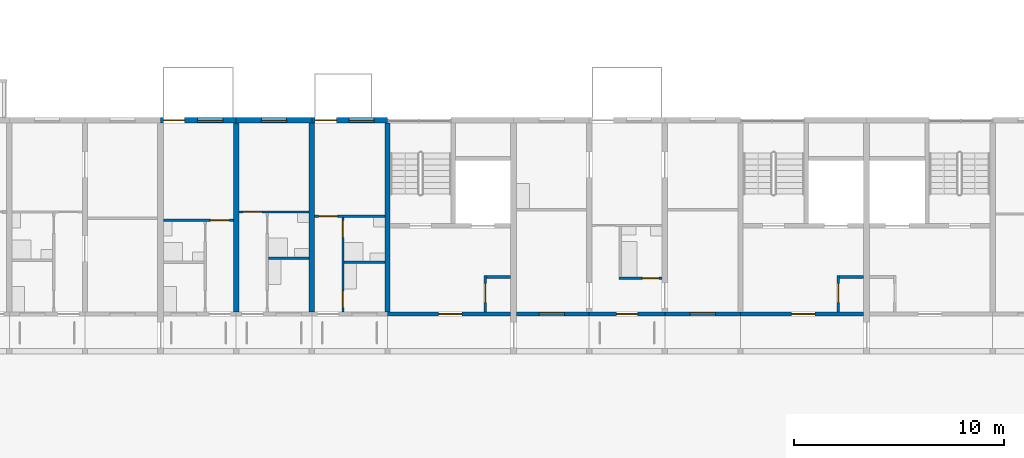
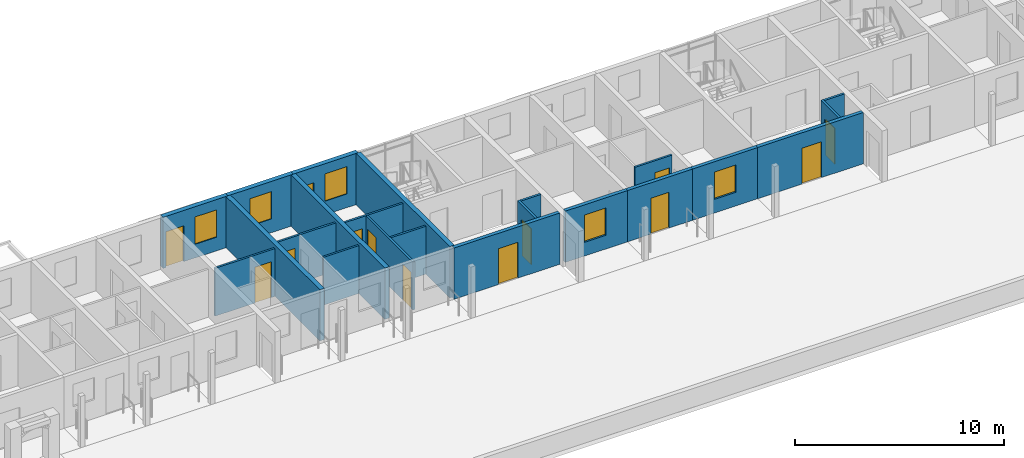
# One storey, part 44 of 115: 22 walls, 13 doors, 5 windows, 18 openings.
"""IFC4 building model written with IfcOpenShell, lengths in metres."""

from ifc_helpers import new_model, si_unit, direction, frame, frame_2d, origin, place, context, subcontext, project, spatial, rectangle, extrude, material, layer, layer_set, type_object, element, fill, save


model = new_model("IFC4")

# Units and contexts
model_context = context("Model", 3, precision=1e-05, world=origin(), true_north=direction((0.0, 1.0)))
body_context = subcontext(model_context, "Body", "Model", "MODEL_VIEW")
ifc_project = project(units=[si_unit("LENGTHUNIT", "METRE"), si_unit("AREAUNIT", "SQUARE_METRE"), si_unit("VOLUMEUNIT", "CUBIC_METRE"), si_unit("PLANEANGLEUNIT", "RADIAN"), si_unit("MASSUNIT", "GRAM", prefix="KILO")], contexts=[model_context])

# Site, building, storey
site_placement = place(None, origin())
site = spatial("IfcSite", under=ifc_project, at=site_placement, CompositionType="ELEMENT")
building_placement = place(site_placement, origin())
building = spatial("IfcBuilding", under=site, at=building_placement, Name="Ridgestep Commons", CompositionType="ELEMENT")
storey_placement = place(building_placement, frame((0.0, 0.0, 6.0)))
storey = spatial("IfcBuildingStorey", under=building, at=storey_placement, Name="L02", CompositionType="ELEMENT", Elevation=6.0)

# Wall
ifc_material_1 = material(Name="Concrete C30/37", Category="concrete")
ifc_layer_1 = layer(ifc_material_1, 0.25)
ifc_layer_set_1 = layer_set([ifc_layer_1], Name="Core cross wall 250")
wall_type_1 = type_object("IfcWallType", Name="Core cross wall 250", PredefinedType="SHEAR", material=ifc_layer_set_1)
wall_1_placement = place(storey_placement, frame((73.199951171875, 13.75, 0.0), z_axis=(0.0, 0.0, 1.0), x_axis=(0.0, 1.0, 0.0)))
element("IfcWall", 1, at=wall_1_placement, inside=storey, type_object=wall_type_1, Name="Cross wall A-02-0732", PredefinedType="SHEAR", context=body_context, shape_type="SweptSolid", body=[
    extrude(rectangle(XDim=9.0, YDim=0.25, at=frame_2d((4.5, 0.0))), origin(), (0.0, 0.0, 1.0), 3.0),
])

# Wall, opening, door
ifc_material_2 = material(Name="Concrete C30/37", Category="concrete")
ifc_layer_2 = layer(ifc_material_2, 0.199951171875)
ifc_layer_set_2 = layer_set([ifc_layer_2], Name="Core south wall 200")
wall_type_2 = type_object("IfcWallType", Name="Core south wall 200", PredefinedType="SHEAR", material=ifc_layer_set_2)
wall_2_placement = place(storey_placement, frame((73.199951171875, 13.64990234375, 0.0), z_axis=(0.0, 0.0, 1.0), x_axis=(1.0, 0.0, 0.0)))
wall_2 = element("IfcWall", 2, at=wall_2_placement, inside=storey, type_object=wall_type_2, Name="Core south wall A4C L02", PredefinedType="SHEAR", context=body_context, shape_type="SweptSolid", body=[
    extrude(rectangle(XDim=5.85009765625, YDim=0.199951171875, at=frame_2d((2.925048828125, 0.0))), origin(), (0.0, 0.0, 1.0), 3.0),
])
opening_1_placement = place(wall_2_placement, frame((2.4375, 0.0, 0.0)))
opening_1 = element("IfcOpeningElement", 3, at=opening_1_placement, cuts=wall_2, Name="Opening A4C/02/1", PredefinedType="OPENING", context=body_context, shape_type="SweptSolid", body=[
    extrude(rectangle(XDim=1.10009765625, YDim=2.10009765625, at=frame_2d((0.550048828125, 1.050048828125))), frame((0.0, 0.10986328125, 0.0), z_axis=(0.0, -1.0, 0.0), x_axis=(1.0, 0.0, 0.0)), (0.0, 0.0, 1.0), 0.219970703125),
])
ifc_material_3 = material(Name="Steel fire door", Category="steel")
door_type_1 = type_object("IfcDoorType", Name="Lobby door 1100 x 2100 FD60", OperationType="NOTDEFINED", PredefinedType="DOOR", material=ifc_material_3)
door_1_placement = place(opening_1_placement, origin())
door_1 = element("IfcDoor", 4, at=door_1_placement, inside=storey, type_object=door_type_1, Name="Lobby door A4C/02/1", OperationType="SINGLE_SWING_LEFT", OverallHeight=2.10009765625, OverallWidth=1.10009765625, PredefinedType="DOOR", context=body_context, shape_type="SweptSolid", body=[
    extrude(rectangle(XDim=1.10009765625, YDim=2.10009765625, at=frame_2d((0.550048828125, 1.050048828125))), frame((0.0, 0.02490234375, 0.0), z_axis=(0.0, -1.0, 0.0), x_axis=(1.0, 0.0, 0.0)), (0.0, 0.0, 1.0), 0.050048828125),
])
fill(opening_1, door_1)

wall_3_placement = place(storey_placement, frame((90.0, 13.64990234375, 0.0), z_axis=(0.0, 0.0, 1.0), x_axis=(1.0, 0.0, 0.0)))
wall_3 = element("IfcWall", 5, at=wall_3_placement, inside=storey, type_object=wall_type_2, Name="Core south wall A5C L02", PredefinedType="SHEAR", context=body_context, shape_type="SweptSolid", body=[
    extrude(rectangle(XDim=5.85009765625, YDim=0.199951171875, at=frame_2d((2.925048828125, 0.0))), origin(), (0.0, 0.0, 1.0), 3.0),
])
opening_2_placement = place(wall_3_placement, frame((2.4375, 0.0, 0.0)))
opening_2 = element("IfcOpeningElement", 6, at=opening_2_placement, cuts=wall_3, Name="Opening A5C/02/1", PredefinedType="OPENING", context=body_context, shape_type="SweptSolid", body=[
    extrude(rectangle(XDim=1.10009765625, YDim=2.10009765625, at=frame_2d((0.550048828125, 1.050048828125))), frame((0.0, 0.10986328125, 0.0), z_axis=(0.0, -1.0, 0.0), x_axis=(1.0, 0.0, 0.0)), (0.0, 0.0, 1.0), 0.219970703125),
])
door_2_placement = place(opening_2_placement, origin())
door_2 = element("IfcDoor", 7, at=door_2_placement, inside=storey, type_object=door_type_1, Name="Lobby door A5C/02/1", OperationType="SINGLE_SWING_LEFT", OverallHeight=2.10009765625, OverallWidth=1.10009765625, PredefinedType="DOOR", context=body_context, shape_type="SweptSolid", body=[
    extrude(rectangle(XDim=1.10009765625, YDim=2.10009765625, at=frame_2d((0.550048828125, 1.050048828125))), frame((0.0, 0.02490234375, 0.0), z_axis=(0.0, -1.0, 0.0), x_axis=(1.0, 0.0, 0.0)), (0.0, 0.0, 1.0), 0.050048828125),
])
fill(opening_2, door_2)

ifc_material_4 = material(Name="Concrete C30/37", Category="concrete")
ifc_layer_3 = layer(ifc_material_4, 0.1201171875)
ifc_layer_set_3 = layer_set([ifc_layer_3], Name="Core wall 120")
wall_type_3 = type_object("IfcWallType", Name="Core wall 120", PredefinedType="SHEAR", material=ifc_layer_set_3)
wall_4_placement = place(storey_placement, frame((77.860107421875, 13.75, 0.0), z_axis=(0.0, 0.0, 1.0), x_axis=(0.0, 1.0, 0.0)))
wall_4 = element("IfcWall", 8, at=wall_4_placement, inside=storey, type_object=wall_type_3, Name="Core riser w wall A4C L02", PredefinedType="SHEAR", context=body_context, shape_type="SweptSolid", body=[
    extrude(rectangle(XDim=1.719970703125, YDim=0.1201171875, at=frame_2d((0.85986328125, 0.0))), origin(), (0.0, 0.0, 1.0), 3.0),
])
opening_3_placement = place(wall_4_placement, frame((0.449951171875, 0.0, 0.0)))
opening_3 = element("IfcOpeningElement", 9, at=opening_3_placement, cuts=wall_4, Name="Opening A4C/02/4", PredefinedType="OPENING", context=body_context, shape_type="SweptSolid", body=[
    extrude(rectangle(XDim=0.89990234375, YDim=2.10009765625, at=frame_2d((0.449951171875, 1.050048828125))), frame((0.0, 0.070068359375, 0.0), z_axis=(0.0, -1.0, 0.0), x_axis=(1.0, 0.0, 0.0)), (0.0, 0.0, 1.0), 0.14013671875),
])
ifc_material_5 = material(Name="Steel fire door", Category="steel")
door_type_2 = type_object("IfcDoorType", Name="Riser door 900 x 2100 FD60", OperationType="NOTDEFINED", PredefinedType="DOOR", material=ifc_material_5)
door_3_placement = place(opening_3_placement, origin())
door_3 = element("IfcDoor", 10, at=door_3_placement, inside=storey, type_object=door_type_2, Name="Riser door A4C/02/4", OperationType="SINGLE_SWING_LEFT", OverallHeight=2.10009765625, OverallWidth=0.89990234375, PredefinedType="DOOR", context=body_context, shape_type="SweptSolid", body=[
    extrude(rectangle(XDim=0.89990234375, YDim=2.10009765625, at=frame_2d((0.449951171875, 1.050048828125))), frame((0.0, 0.02490234375, 0.0), z_axis=(0.0, -1.0, 0.0), x_axis=(1.0, 0.0, 0.0)), (0.0, 0.0, 1.0), 0.050048828125),
])
fill(opening_3, door_3)

# Wall
wall_5_placement = place(storey_placement, frame((77.919921875, 15.409912109375, 0.0), z_axis=(0.0, 0.0, 1.0), x_axis=(1.0, 0.0, 0.0)))
element("IfcWall", 11, at=wall_5_placement, inside=storey, type_object=wall_type_3, Name="Core riser n wall A4C L02", PredefinedType="SHEAR", context=body_context, shape_type="SweptSolid", body=[
    extrude(rectangle(XDim=1.130126953125, YDim=0.1201171875, at=frame_2d((0.56494140625, 0.0))), origin(), (0.0, 0.0, 1.0), 3.0),
])

# Wall, opening, door
wall_6_placement = place(storey_placement, frame((94.659912109375, 13.75, 0.0), z_axis=(0.0, 0.0, 1.0), x_axis=(0.0, 1.0, 0.0)))
wall_6 = element("IfcWall", 12, at=wall_6_placement, inside=storey, type_object=wall_type_3, Name="Core riser w wall A5C L02", PredefinedType="SHEAR", context=body_context, shape_type="SweptSolid", body=[
    extrude(rectangle(XDim=1.719970703125, YDim=0.1201171875, at=frame_2d((0.85986328125, 0.0))), origin(), (0.0, 0.0, 1.0), 3.0),
])
opening_4_placement = place(wall_6_placement, frame((0.449951171875, 0.0, 0.0)))
opening_4 = element("IfcOpeningElement", 13, at=opening_4_placement, cuts=wall_6, Name="Opening A5C/02/4", PredefinedType="OPENING", context=body_context, shape_type="SweptSolid", body=[
    extrude(rectangle(XDim=0.89990234375, YDim=2.10009765625, at=frame_2d((0.449951171875, 1.050048828125))), frame((0.0, 0.070068359375, 0.0), z_axis=(0.0, -1.0, 0.0), x_axis=(1.0, 0.0, 0.0)), (0.0, 0.0, 1.0), 0.14013671875),
])
door_4_placement = place(opening_4_placement, origin())
door_4 = element("IfcDoor", 14, at=door_4_placement, inside=storey, type_object=door_type_2, Name="Riser door A5C/02/4", OperationType="SINGLE_SWING_LEFT", OverallHeight=2.10009765625, OverallWidth=0.89990234375, PredefinedType="DOOR", context=body_context, shape_type="SweptSolid", body=[
    extrude(rectangle(XDim=0.89990234375, YDim=2.10009765625, at=frame_2d((0.449951171875, 1.050048828125))), frame((0.0, 0.02490234375, 0.0), z_axis=(0.0, -1.0, 0.0), x_axis=(1.0, 0.0, 0.0)), (0.0, 0.0, 1.0), 0.050048828125),
])
fill(opening_4, door_4)

# Walls
wall_7_placement = place(storey_placement, frame((94.719970703125, 15.409912109375, 0.0), z_axis=(0.0, 0.0, 1.0), x_axis=(1.0, 0.0, 0.0)))
element("IfcWall", 15, at=wall_7_placement, inside=storey, type_object=wall_type_3, Name="Core riser n wall A5C L02", PredefinedType="SHEAR", context=body_context, shape_type="SweptSolid", body=[
    extrude(rectangle(XDim=1.130126953125, YDim=0.1201171875, at=frame_2d((0.56494140625, 0.0))), origin(), (0.0, 0.0, 1.0), 3.0),
])
ifc_material_6 = material(Name="Precast concrete C40/50", Category="concrete")
ifc_layer_4 = layer(ifc_material_6, 0.25)
ifc_layer_set_4 = layer_set([ifc_layer_4], Name="Cross wall 250")
wall_type_4 = type_object("IfcWallType", Name="Cross wall 250", PredefinedType="SHEAR", material=ifc_layer_set_4)
for number, where, z_axis, x_axis, name in (
    (16, (66.0, 13.75, 0.0), (0.0, 0.0, 1.0), (0.0, 1.0, 0.0), "Cross wall A-02-0660"),
    (17, (69.60009765625, 13.75, 0.0), (0.0, 0.0, 1.0), (0.0, 1.0, 0.0), "Cross wall A-02-0696"),
):
    element("IfcWall", number, at=place(storey_placement, frame(where, z_axis=z_axis, x_axis=x_axis)), inside=storey, type_object=wall_type_4, Name=name, PredefinedType="SHEAR", context=body_context, shape_type="SweptSolid", body=[
        extrude(rectangle(XDim=9.0, YDim=0.25, at=frame_2d((4.5, 0.0))), origin(), (0.0, 0.0, 1.0), 3.0),
    ])

# Wall, openings, door, window
ifc_material_7 = material(Name="Precast concrete C40/50", Category="concrete")
ifc_layer_5 = layer(ifc_material_7, 0.25)
ifc_layer_set_5 = layer_set([ifc_layer_5], Name="North facade panel 250")
wall_type_5 = type_object("IfcWallType", Name="North facade panel 250", PredefinedType="SOLIDWALL", material=ifc_layer_set_5)
wall_8_placement = place(storey_placement, frame((62.39990234375, 22.875, 0.0), z_axis=(0.0, 0.0, 1.0), x_axis=(1.0, 0.0, 0.0)))
wall_8 = element("IfcWall", 18, at=wall_8_placement, inside=storey, type_object=wall_type_5, Name="North panel A4T1 L02", PredefinedType="SOLIDWALL", context=body_context, shape_type="SweptSolid", body=[
    extrude(rectangle(XDim=3.60009765625, YDim=0.25, at=frame_2d((1.800048828125, 0.0))), origin(), (0.0, 0.0, 1.0), 3.0),
])
opening_5_placement = place(wall_8_placement, frame((1.762451171875, 0.0, 0.800048828125)))
opening_5 = element("IfcOpeningElement", 19, at=opening_5_placement, cuts=wall_8, Name="Opening W11", PredefinedType="OPENING", context=body_context, shape_type="SweptSolid", body=[
    extrude(rectangle(XDim=1.199951171875, YDim=1.60009765625, at=frame_2d((0.60009765625, 0.800048828125))), frame((0.0, 0.135009765625, 0.0), z_axis=(0.0, -1.0, 0.0), x_axis=(1.0, 0.0, 0.0)), (0.0, 0.0, 1.0), 0.27001953125),
])
opening_6_placement = place(wall_8_placement, frame((0.14990234375, 0.0, 0.0)))
opening_6 = element("IfcOpeningElement", 20, at=opening_6_placement, cuts=wall_8, Name="Opening A4-02a/5", PredefinedType="OPENING", context=body_context, shape_type="SweptSolid", body=[
    extrude(rectangle(XDim=1.0, YDim=2.10009765625, at=frame_2d((0.5, 1.050048828125))), frame((0.0, 0.135009765625, 0.0), z_axis=(0.0, -1.0, 0.0), x_axis=(1.0, 0.0, 0.0)), (0.0, 0.0, 1.0), 0.27001953125),
])
ifc_material_8 = material(Name="Aluminium and glass", Category="aluminium")
door_type_3 = type_object("IfcDoorType", Name="Balcony door 1000 x 2100", OperationType="NOTDEFINED", PredefinedType="DOOR", material=ifc_material_8)
door_5_placement = place(opening_6_placement, origin())
door_5 = element("IfcDoor", 21, at=door_5_placement, inside=storey, type_object=door_type_3, Name="Balcony door A4-02a/5", OperationType="SINGLE_SWING_RIGHT", OverallHeight=2.10009765625, OverallWidth=1.0, PredefinedType="DOOR", context=body_context, shape_type="SweptSolid", body=[
    extrude(rectangle(XDim=1.0, YDim=2.10009765625, at=frame_2d((0.5, 1.050048828125))), frame((0.0, 0.02490234375, 0.0), z_axis=(0.0, -1.0, 0.0), x_axis=(1.0, 0.0, 0.0)), (0.0, 0.0, 1.0), 0.050048828125),
])
fill(opening_6, door_5)
ifc_material_9 = material(Name="Aluminium 6063-T6 and glass", Category="aluminium")
window_type = type_object("IfcWindowType", Name="Flat window 1200 x 1600", PartitioningType="SINGLE_PANEL", PredefinedType="WINDOW", material=ifc_material_9)
window_1_placement = place(opening_5_placement, origin())
window_1 = element("IfcWindow", 22, at=window_1_placement, inside=storey, type_object=window_type, Name="Window A4-02a 2", OverallHeight=1.60009765625, OverallWidth=1.199951171875, PartitioningType="SINGLE_PANEL", PredefinedType="WINDOW", context=body_context, shape_type="SweptSolid", body=[
    extrude(rectangle(XDim=1.199951171875, YDim=1.60009765625, at=frame_2d((0.60009765625, 0.800048828125))), frame((0.0, -0.02490234375, 0.0), z_axis=(0.0, -1.0, 0.0), x_axis=(1.0, 0.0, 0.0)), (0.0, 0.0, 1.0), 0.06005859375),
])
fill(opening_5, window_1)

# Wall, opening, window
wall_9_placement = place(storey_placement, frame((66.0, 22.875, 0.0), z_axis=(0.0, 0.0, 1.0), x_axis=(1.0, 0.0, 0.0)))
wall_9 = element("IfcWall", 23, at=wall_9_placement, inside=storey, type_object=wall_type_5, Name="North panel A4T2 L02", PredefinedType="SOLIDWALL", context=body_context, shape_type="SweptSolid", body=[
    extrude(rectangle(XDim=3.60009765625, YDim=0.25, at=frame_2d((1.800048828125, 0.0))), origin(), (0.0, 0.0, 1.0), 3.0),
])
opening_7_placement = place(wall_9_placement, frame((1.199951171875, 0.0, 0.800048828125)))
opening_7 = element("IfcOpeningElement", 24, at=opening_7_placement, cuts=wall_9, Name="Opening W11", PredefinedType="OPENING", context=body_context, shape_type="SweptSolid", body=[
    extrude(rectangle(XDim=1.199951171875, YDim=1.60009765625, at=frame_2d((0.60009765625, 0.800048828125))), frame((0.0, 0.135009765625, 0.0), z_axis=(0.0, -1.0, 0.0), x_axis=(1.0, 0.0, 0.0)), (0.0, 0.0, 1.0), 0.27001953125),
])
window_2_placement = place(opening_7_placement, origin())
window_2 = element("IfcWindow", 25, at=window_2_placement, inside=storey, type_object=window_type, Name="Window A4-02b 2", OverallHeight=1.60009765625, OverallWidth=1.199951171875, PartitioningType="SINGLE_PANEL", PredefinedType="WINDOW", context=body_context, shape_type="SweptSolid", body=[
    extrude(rectangle(XDim=1.199951171875, YDim=1.60009765625, at=frame_2d((0.60009765625, 0.800048828125))), frame((0.0, -0.02490234375, 0.0), z_axis=(0.0, -1.0, 0.0), x_axis=(1.0, 0.0, 0.0)), (0.0, 0.0, 1.0), 0.06005859375),
])
fill(opening_7, window_2)

# Wall, openings, door, window
wall_10_placement = place(storey_placement, frame((69.60009765625, 22.875, 0.0), z_axis=(0.0, 0.0, 1.0), x_axis=(1.0, 0.0, 0.0)))
wall_10 = element("IfcWall", 26, at=wall_10_placement, inside=storey, type_object=wall_type_5, Name="North panel A4T3 L02", PredefinedType="SOLIDWALL", context=body_context, shape_type="SweptSolid", body=[
    extrude(rectangle(XDim=3.599853515625, YDim=0.25, at=frame_2d((1.7998046875, 0.0))), origin(), (0.0, 0.0, 1.0), 3.0),
])
opening_8_placement = place(wall_10_placement, frame((1.76806640625, 0.0, 0.800048828125)))
opening_8 = element("IfcOpeningElement", 27, at=opening_8_placement, cuts=wall_10, Name="Opening W11", PredefinedType="OPENING", context=body_context, shape_type="SweptSolid", body=[
    extrude(rectangle(XDim=1.199951171875, YDim=1.60009765625, at=frame_2d((0.60009765625, 0.800048828125))), frame((0.0, 0.135009765625, 0.0), z_axis=(0.0, -1.0, 0.0), x_axis=(1.0, 0.0, 0.0)), (0.0, 0.0, 1.0), 0.27001953125),
])
opening_9_placement = place(wall_10_placement, frame((0.160888671875, 0.0, 0.0)))
opening_9 = element("IfcOpeningElement", 28, at=opening_9_placement, cuts=wall_10, Name="Opening A4-02c/5", PredefinedType="OPENING", context=body_context, shape_type="SweptSolid", body=[
    extrude(rectangle(XDim=1.0, YDim=2.10009765625, at=frame_2d((0.5, 1.050048828125))), frame((0.0, 0.135009765625, 0.0), z_axis=(0.0, -1.0, 0.0), x_axis=(1.0, 0.0, 0.0)), (0.0, 0.0, 1.0), 0.27001953125),
])
door_6_placement = place(opening_9_placement, origin())
door_6 = element("IfcDoor", 29, at=door_6_placement, inside=storey, type_object=door_type_3, Name="Balcony door A4-02c/5", OperationType="SINGLE_SWING_RIGHT", OverallHeight=2.10009765625, OverallWidth=1.0, PredefinedType="DOOR", context=body_context, shape_type="SweptSolid", body=[
    extrude(rectangle(XDim=1.0, YDim=2.10009765625, at=frame_2d((0.5, 1.050048828125))), frame((0.0, 0.02490234375, 0.0), z_axis=(0.0, -1.0, 0.0), x_axis=(1.0, 0.0, 0.0)), (0.0, 0.0, 1.0), 0.050048828125),
])
fill(opening_9, door_6)
window_3_placement = place(opening_8_placement, origin())
window_3 = element("IfcWindow", 30, at=window_3_placement, inside=storey, type_object=window_type, Name="Window A4-02c 2", OverallHeight=1.60009765625, OverallWidth=1.199951171875, PartitioningType="SINGLE_PANEL", PredefinedType="WINDOW", context=body_context, shape_type="SweptSolid", body=[
    extrude(rectangle(XDim=1.199951171875, YDim=1.60009765625, at=frame_2d((0.60009765625, 0.800048828125))), frame((0.0, -0.02490234375, 0.0), z_axis=(0.0, -1.0, 0.0), x_axis=(1.0, 0.0, 0.0)), (0.0, 0.0, 1.0), 0.06005859375),
])
fill(opening_8, window_3)

# Wall, opening, door
ifc_material_10 = material(Name="Common brick 110 mm", Category="masonry")
ifc_layer_6 = layer(ifc_material_10, 0.110107421875)
ifc_layer_set_6 = layer_set([ifc_layer_6], Name="Partition 110")
wall_type_6 = type_object("IfcWallType", Name="Partition 110", PredefinedType="PARTITIONING", material=ifc_layer_set_6)
wall_11_placement = place(storey_placement, frame((62.550048828125, 18.10498046875, 0.0), z_axis=(0.0, 0.0, 1.0), x_axis=(1.0, 0.0, 0.0)))
wall_11 = element("IfcWall", 31, at=wall_11_placement, inside=storey, type_object=wall_type_6, Name="Partition A4-02a", PredefinedType="PARTITIONING", context=body_context, shape_type="SweptSolid", body=[
    extrude(rectangle(XDim=3.324951171875, YDim=0.110107421875, at=frame_2d((1.66259765625, 0.0))), origin(), (0.0, 0.0, 1.0), 2.800048828125),
])
opening_10_placement = place(wall_11_placement, frame((2.22509765625, 0.0, 0.0)))
opening_10 = element("IfcOpeningElement", 32, at=opening_10_placement, cuts=wall_11, Name="Opening A4-02a/4", PredefinedType="OPENING", context=body_context, shape_type="SweptSolid", body=[
    extrude(rectangle(XDim=0.89990234375, YDim=2.10009765625, at=frame_2d((0.449951171875, 1.050048828125))), frame((0.0, 0.06494140625, 0.0), z_axis=(0.0, -1.0, 0.0), x_axis=(1.0, 0.0, 0.0)), (0.0, 0.0, 1.0), 0.130126953125),
])
ifc_material_11 = material(Name="Timber door leaf", Category="wood")
door_type_4 = type_object("IfcDoorType", Name="Internal door 900 x 2100", OperationType="NOTDEFINED", PredefinedType="DOOR", material=ifc_material_11)
door_7_placement = place(opening_10_placement, origin())
door_7 = element("IfcDoor", 33, at=door_7_placement, inside=storey, type_object=door_type_4, Name="Internal door A4-02a/4", OperationType="SINGLE_SWING_LEFT", OverallHeight=2.10009765625, OverallWidth=0.89990234375, PredefinedType="DOOR", context=body_context, shape_type="SweptSolid", body=[
    extrude(rectangle(XDim=0.89990234375, YDim=2.10009765625, at=frame_2d((0.449951171875, 1.050048828125))), frame((0.0, 0.02490234375, 0.0), z_axis=(0.0, -1.0, 0.0), x_axis=(1.0, 0.0, 0.0)), (0.0, 0.0, 1.0), 0.050048828125),
])
fill(opening_10, door_7)

# Wall
wall_12_placement = place(storey_placement, frame((67.534912109375, 16.304931640625, 0.0), z_axis=(0.0, 0.0, 1.0), x_axis=(1.0, 0.0, 0.0)))
element("IfcWall", 34, at=wall_12_placement, inside=storey, type_object=wall_type_6, Name="Partition A4-02b", PredefinedType="PARTITIONING", context=body_context, shape_type="SweptSolid", body=[
    extrude(rectangle(XDim=1.940185546875, YDim=0.110107421875, at=frame_2d((0.97021484375, 0.0))), origin(), (0.0, 0.0, 1.0), 2.800048828125),
])

# Wall, opening, door
wall_13_placement = place(storey_placement, frame((66.125, 18.5048828125, 0.0), z_axis=(0.0, 0.0, 1.0), x_axis=(1.0, 0.0, 0.0)))
wall_13 = element("IfcWall", 35, at=wall_13_placement, inside=storey, type_object=wall_type_6, Name="Partition A4-02b", PredefinedType="PARTITIONING", context=body_context, shape_type="SweptSolid", body=[
    extrude(rectangle(XDim=3.35009765625, YDim=0.110107421875, at=frame_2d((1.675048828125, 0.0))), origin(), (0.0, 0.0, 1.0), 2.800048828125),
])
opening_11_placement = place(wall_13_placement, frame((0.199951171875, 0.0, 0.0)))
opening_11 = element("IfcOpeningElement", 36, at=opening_11_placement, cuts=wall_13, Name="Opening A4-02b/4", PredefinedType="OPENING", context=body_context, shape_type="SweptSolid", body=[
    extrude(rectangle(XDim=0.89990234375, YDim=2.10009765625, at=frame_2d((0.449951171875, 1.050048828125))), frame((0.0, 0.06494140625, 0.0), z_axis=(0.0, -1.0, 0.0), x_axis=(1.0, 0.0, 0.0)), (0.0, 0.0, 1.0), 0.130126953125),
])
door_8_placement = place(opening_11_placement, origin())
door_8 = element("IfcDoor", 37, at=door_8_placement, inside=storey, type_object=door_type_4, Name="Internal door A4-02b/4", OperationType="SINGLE_SWING_RIGHT", OverallHeight=2.10009765625, OverallWidth=0.89990234375, PredefinedType="DOOR", context=body_context, shape_type="SweptSolid", body=[
    extrude(rectangle(XDim=0.89990234375, YDim=2.10009765625, at=frame_2d((0.449951171875, 1.050048828125))), frame((0.0, 0.02490234375, 0.0), z_axis=(0.0, -1.0, 0.0), x_axis=(1.0, 0.0, 0.0)), (0.0, 0.0, 1.0), 0.050048828125),
])
fill(opening_11, door_8)

# Wall, openings, doors
wall_14_placement = place(storey_placement, frame((71.080078125, 13.75, 0.0), z_axis=(0.0, 0.0, 1.0), x_axis=(0.0, 1.0, 0.0)))
wall_14 = element("IfcWall", 38, at=wall_14_placement, inside=storey, type_object=wall_type_6, Name="Partition A4-02c", PredefinedType="PARTITIONING", context=body_context, shape_type="SweptSolid", body=[
    extrude(rectangle(XDim=4.5, YDim=0.110107421875, at=frame_2d((2.25, 0.0))), origin(), (0.0, 0.0, 1.0), 2.800048828125),
])
opening_12_placement = place(wall_14_placement, frame((0.199951171875, 0.0, 0.0)))
opening_12 = element("IfcOpeningElement", 39, at=opening_12_placement, cuts=wall_14, Name="Opening A4-02c/2", PredefinedType="OPENING", context=body_context, shape_type="SweptSolid", body=[
    extrude(rectangle(XDim=0.800048828125, YDim=2.10009765625, at=frame_2d((0.39990234375, 1.050048828125))), frame((0.0, 0.06494140625, 0.0), z_axis=(0.0, -1.0, 0.0), x_axis=(1.0, 0.0, 0.0)), (0.0, 0.0, 1.0), 0.130126953125),
])
opening_13_placement = place(wall_14_placement, frame((3.550048828125, 0.0, 0.0)))
opening_13 = element("IfcOpeningElement", 40, at=opening_13_placement, cuts=wall_14, Name="Opening A4-02c/3", PredefinedType="OPENING", context=body_context, shape_type="SweptSolid", body=[
    extrude(rectangle(XDim=0.800048828125, YDim=2.10009765625, at=frame_2d((0.39990234375, 1.050048828125))), frame((0.0, 0.06494140625, 0.0), z_axis=(0.0, -1.0, 0.0), x_axis=(1.0, 0.0, 0.0)), (0.0, 0.0, 1.0), 0.130126953125),
])
ifc_material_12 = material(Name="Timber door leaf", Category="wood")
door_type_5 = type_object("IfcDoorType", Name="Internal door 800 x 2100", OperationType="NOTDEFINED", PredefinedType="DOOR", material=ifc_material_12)
door_9_placement = place(opening_12_placement, origin())
door_9 = element("IfcDoor", 41, at=door_9_placement, inside=storey, type_object=door_type_5, Name="Internal door A4-02c/2", OperationType="SINGLE_SWING_RIGHT", OverallHeight=2.10009765625, OverallWidth=0.800048828125, PredefinedType="DOOR", context=body_context, shape_type="SweptSolid", body=[
    extrude(rectangle(XDim=0.800048828125, YDim=2.10009765625, at=frame_2d((0.39990234375, 1.050048828125))), frame((0.0, 0.02490234375, 0.0), z_axis=(0.0, -1.0, 0.0), x_axis=(1.0, 0.0, 0.0)), (0.0, 0.0, 1.0), 0.050048828125),
])
fill(opening_12, door_9)
door_10_placement = place(opening_13_placement, origin())
door_10 = element("IfcDoor", 42, at=door_10_placement, inside=storey, type_object=door_type_5, Name="Internal door A4-02c/3", OperationType="SINGLE_SWING_LEFT", OverallHeight=2.10009765625, OverallWidth=0.800048828125, PredefinedType="DOOR", context=body_context, shape_type="SweptSolid", body=[
    extrude(rectangle(XDim=0.800048828125, YDim=2.10009765625, at=frame_2d((0.39990234375, 1.050048828125))), frame((0.0, 0.02490234375, 0.0), z_axis=(0.0, -1.0, 0.0), x_axis=(1.0, 0.0, 0.0)), (0.0, 0.0, 1.0), 0.050048828125),
])
fill(opening_13, door_10)

# Wall
wall_15_placement = place(storey_placement, frame((71.135009765625, 16.10498046875, 0.0), z_axis=(0.0, 0.0, 1.0), x_axis=(1.0, 0.0, 0.0)))
element("IfcWall", 43, at=wall_15_placement, inside=storey, type_object=wall_type_6, Name="Partition A4-02c", PredefinedType="PARTITIONING", context=body_context, shape_type="SweptSolid", body=[
    extrude(rectangle(XDim=1.93994140625, YDim=0.110107421875, at=frame_2d((0.969970703125, 0.0))), origin(), (0.0, 0.0, 1.0), 2.800048828125),
])

# Wall, opening, door
wall_16_placement = place(storey_placement, frame((69.72509765625, 18.304931640625, 0.0), z_axis=(0.0, 0.0, 1.0), x_axis=(1.0, 0.0, 0.0)))
wall_16 = element("IfcWall", 44, at=wall_16_placement, inside=storey, type_object=wall_type_6, Name="Partition A4-02c", PredefinedType="PARTITIONING", context=body_context, shape_type="SweptSolid", body=[
    extrude(rectangle(XDim=3.349853515625, YDim=0.110107421875, at=frame_2d((1.6748046875, 0.0))), origin(), (0.0, 0.0, 1.0), 2.800048828125),
])
opening_14_placement = place(wall_16_placement, frame((0.199951171875, 0.0, 0.0)))
opening_14 = element("IfcOpeningElement", 45, at=opening_14_placement, cuts=wall_16, Name="Opening A4-02c/4", PredefinedType="OPENING", context=body_context, shape_type="SweptSolid", body=[
    extrude(rectangle(XDim=0.89990234375, YDim=2.10009765625, at=frame_2d((0.449951171875, 1.050048828125))), frame((0.0, 0.06494140625, 0.0), z_axis=(0.0, -1.0, 0.0), x_axis=(1.0, 0.0, 0.0)), (0.0, 0.0, 1.0), 0.130126953125),
])
door_11_placement = place(opening_14_placement, origin())
door_11 = element("IfcDoor", 46, at=door_11_placement, inside=storey, type_object=door_type_4, Name="Internal door A4-02c/4", OperationType="SINGLE_SWING_LEFT", OverallHeight=2.10009765625, OverallWidth=0.89990234375, PredefinedType="DOOR", context=body_context, shape_type="SweptSolid", body=[
    extrude(rectangle(XDim=0.89990234375, YDim=2.10009765625, at=frame_2d((0.449951171875, 1.050048828125))), frame((0.0, 0.02490234375, 0.0), z_axis=(0.0, -1.0, 0.0), x_axis=(1.0, 0.0, 0.0)), (0.0, 0.0, 1.0), 0.050048828125),
])
fill(opening_14, door_11)

wall_17_placement = place(storey_placement, frame((84.22509765625, 15.35498046875, 0.0), z_axis=(0.0, 0.0, 1.0), x_axis=(1.0, 0.0, 0.0)))
wall_17 = element("IfcWall", 47, at=wall_17_placement, inside=storey, type_object=wall_type_6, Name="Partition A5-02a", PredefinedType="PARTITIONING", context=body_context, shape_type="SweptSolid", body=[
    extrude(rectangle(XDim=2.0498046875, YDim=0.110107421875, at=frame_2d((1.02490234375, 0.0))), origin(), (0.0, 0.0, 1.0), 2.800048828125),
])
opening_15_placement = place(wall_17_placement, frame((1.10009765625, 0.0, 0.0)))
opening_15 = element("IfcOpeningElement", 48, at=opening_15_placement, cuts=wall_17, Name="Opening A5-02a/2", PredefinedType="OPENING", context=body_context, shape_type="SweptSolid", body=[
    extrude(rectangle(XDim=0.800048828125, YDim=2.10009765625, at=frame_2d((0.39990234375, 1.050048828125))), frame((0.0, 0.06494140625, 0.0), z_axis=(0.0, -1.0, 0.0), x_axis=(1.0, 0.0, 0.0)), (0.0, 0.0, 1.0), 0.130126953125),
])
door_12_placement = place(opening_15_placement, origin())
door_12 = element("IfcDoor", 49, at=door_12_placement, inside=storey, type_object=door_type_5, Name="Internal door A5-02a/2", OperationType="SINGLE_SWING_RIGHT", OverallHeight=2.10009765625, OverallWidth=0.800048828125, PredefinedType="DOOR", context=body_context, shape_type="SweptSolid", body=[
    extrude(rectangle(XDim=0.800048828125, YDim=2.10009765625, at=frame_2d((0.39990234375, 1.050048828125))), frame((0.0, 0.02490234375, 0.0), z_axis=(0.0, -1.0, 0.0), x_axis=(1.0, 0.0, 0.0)), (0.0, 0.0, 1.0), 0.050048828125),
])
fill(opening_15, door_12)

# Wall, opening, window
ifc_material_13 = material(Name="Precast concrete C40/50", Category="concrete")
ifc_layer_7 = layer(ifc_material_13, 0.199951171875)
ifc_layer_set_7 = layer_set([ifc_layer_7], Name="South facade panel 200")
wall_type_7 = type_object("IfcWallType", Name="South facade panel 200", PredefinedType="SOLIDWALL", material=ifc_layer_set_7)
wall_18_placement = place(storey_placement, frame((79.35009765625, 13.64990234375, 0.0), z_axis=(0.0, 0.0, 1.0), x_axis=(1.0, 0.0, 0.0)))
wall_18 = element("IfcWall", 50, at=wall_18_placement, inside=storey, type_object=wall_type_7, Name="South panel A5T1 L02", PredefinedType="SOLIDWALL", context=body_context, shape_type="SweptSolid", body=[
    extrude(rectangle(XDim=3.449951171875, YDim=0.199951171875, at=frame_2d((1.72509765625, 0.0))), origin(), (0.0, 0.0, 1.0), 3.0),
])
opening_16_placement = place(wall_18_placement, frame((1.0625, 0.0, 0.800048828125)))
opening_16 = element("IfcOpeningElement", 51, at=opening_16_placement, cuts=wall_18, Name="Opening W11", PredefinedType="OPENING", context=body_context, shape_type="SweptSolid", body=[
    extrude(rectangle(XDim=1.199951171875, YDim=1.60009765625, at=frame_2d((0.60009765625, 0.800048828125))), frame((0.0, 0.10986328125, 0.0), z_axis=(0.0, -1.0, 0.0), x_axis=(1.0, 0.0, 0.0)), (0.0, 0.0, 1.0), 0.219970703125),
])
window_4_placement = place(opening_16_placement, origin())
window_4 = element("IfcWindow", 52, at=window_4_placement, inside=storey, type_object=window_type, Name="Window A5-02a 1", OverallHeight=1.60009765625, OverallWidth=1.199951171875, PartitioningType="SINGLE_PANEL", PredefinedType="WINDOW", context=body_context, shape_type="SweptSolid", body=[
    extrude(rectangle(XDim=1.199951171875, YDim=1.60009765625, at=frame_2d((0.60009765625, 0.800048828125))), frame((0.0, 0.06005859375, 0.0), z_axis=(0.0, -1.0, 0.0), x_axis=(1.0, 0.0, 0.0)), (0.0, 0.0, 1.0), 0.06005859375),
])
fill(opening_16, window_4)

# Wall, opening, door
wall_19_placement = place(storey_placement, frame((82.800048828125, 13.64990234375, 0.0), z_axis=(0.0, 0.0, 1.0), x_axis=(1.0, 0.0, 0.0)))
wall_19 = element("IfcWall", 53, at=wall_19_placement, inside=storey, type_object=wall_type_7, Name="South panel A5T2 L02", PredefinedType="SOLIDWALL", context=body_context, shape_type="SweptSolid", body=[
    extrude(rectangle(XDim=3.599853515625, YDim=0.199951171875, at=frame_2d((1.7998046875, 0.0))), origin(), (0.0, 0.0, 1.0), 3.0),
])
opening_17_placement = place(wall_19_placement, frame((1.300048828125, 0.0, 0.0)))
opening_17 = element("IfcOpeningElement", 54, at=opening_17_placement, cuts=wall_19, Name="Opening A5-02a/1", PredefinedType="OPENING", context=body_context, shape_type="SweptSolid", body=[
    extrude(rectangle(XDim=1.0, YDim=2.10009765625, at=frame_2d((0.5, 1.050048828125))), frame((0.0, 0.10986328125, 0.0), z_axis=(0.0, -1.0, 0.0), x_axis=(1.0, 0.0, 0.0)), (0.0, 0.0, 1.0), 0.219970703125),
])
ifc_material_14 = material(Name="Timber door leaf", Category="wood")
door_type_6 = type_object("IfcDoorType", Name="Flat entrance door 1000 x 2100 FD30S", OperationType="NOTDEFINED", PredefinedType="DOOR", material=ifc_material_14)
door_13_placement = place(opening_17_placement, origin())
door_13 = element("IfcDoor", 55, at=door_13_placement, inside=storey, type_object=door_type_6, Name="Flat entrance door A5-02a/1", OperationType="SINGLE_SWING_LEFT", OverallHeight=2.10009765625, OverallWidth=1.0, PredefinedType="DOOR", context=body_context, shape_type="SweptSolid", body=[
    extrude(rectangle(XDim=1.0, YDim=2.10009765625, at=frame_2d((0.5, 1.050048828125))), frame((0.0, 0.02490234375, 0.0), z_axis=(0.0, -1.0, 0.0), x_axis=(1.0, 0.0, 0.0)), (0.0, 0.0, 1.0), 0.050048828125),
])
fill(opening_17, door_13)

# Wall, opening, window
wall_20_placement = place(storey_placement, frame((86.39990234375, 13.64990234375, 0.0), z_axis=(0.0, 0.0, 1.0), x_axis=(1.0, 0.0, 0.0)))
wall_20 = element("IfcWall", 56, at=wall_20_placement, inside=storey, type_object=wall_type_7, Name="South panel A5T3 L02", PredefinedType="SOLIDWALL", context=body_context, shape_type="SweptSolid", body=[
    extrude(rectangle(XDim=3.60009765625, YDim=0.199951171875, at=frame_2d((1.800048828125, 0.0))), origin(), (0.0, 0.0, 1.0), 3.0),
])
opening_18_placement = place(wall_20_placement, frame((1.199951171875, 0.0, 0.800048828125)))
opening_18 = element("IfcOpeningElement", 57, at=opening_18_placement, cuts=wall_20, Name="Opening W11", PredefinedType="OPENING", context=body_context, shape_type="SweptSolid", body=[
    extrude(rectangle(XDim=1.199951171875, YDim=1.60009765625, at=frame_2d((0.60009765625, 0.800048828125))), frame((0.0, 0.10986328125, 0.0), z_axis=(0.0, -1.0, 0.0), x_axis=(1.0, 0.0, 0.0)), (0.0, 0.0, 1.0), 0.219970703125),
])
window_5_placement = place(opening_18_placement, origin())
window_5 = element("IfcWindow", 58, at=window_5_placement, inside=storey, type_object=window_type, Name="Window A5-02a 3", OverallHeight=1.60009765625, OverallWidth=1.199951171875, PartitioningType="SINGLE_PANEL", PredefinedType="WINDOW", context=body_context, shape_type="SweptSolid", body=[
    extrude(rectangle(XDim=1.199951171875, YDim=1.60009765625, at=frame_2d((0.60009765625, 0.800048828125))), frame((0.0, 0.06005859375, 0.0), z_axis=(0.0, -1.0, 0.0), x_axis=(1.0, 0.0, 0.0)), (0.0, 0.0, 1.0), 0.06005859375),
])
fill(opening_18, window_5)

save(model, "model.ifc")
